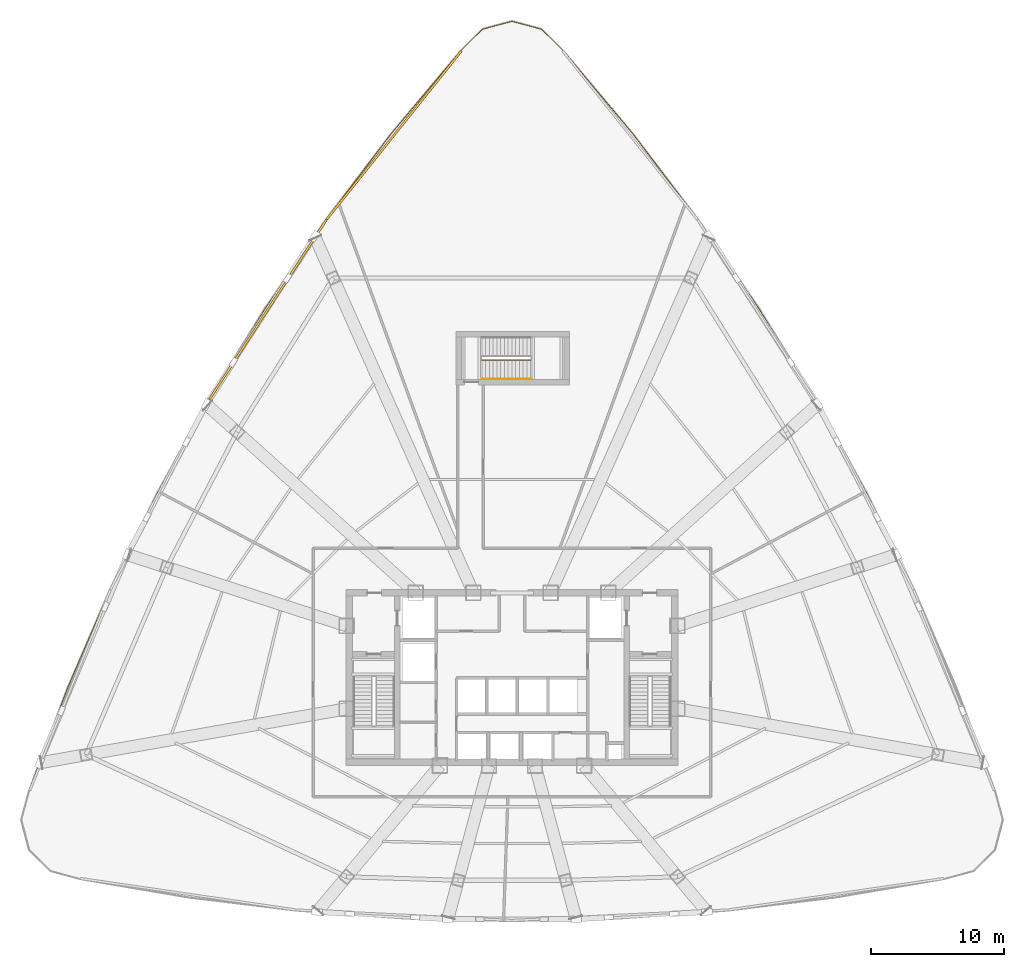
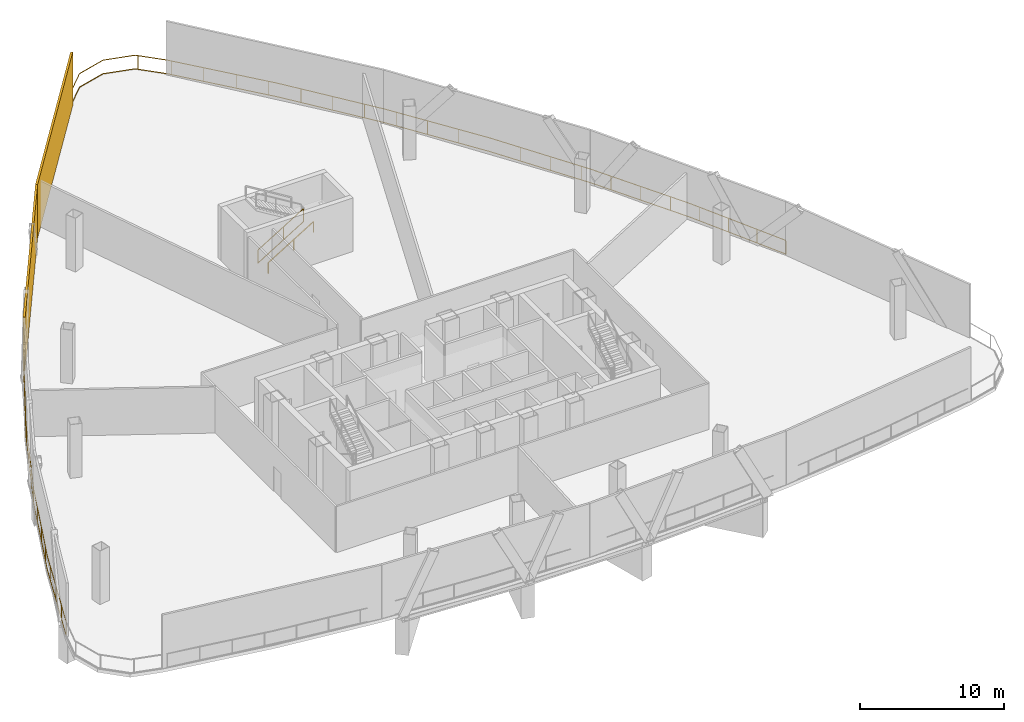
# One storey, part 12 of 14: 3 railings, 2 shading devices.
"""IFC4 building model written with IfcOpenShell, lengths in metres."""

from ifc_helpers import new_model, si_unit, direction, frame, origin, origin_2d, place, context, subcontext, project, spatial, rectangle, extrude, source, transform, mapped, material, layer, layer_set, type_object, element, save


model = new_model("IFC4")

# Units and contexts
model_context = context("Model", 3, precision=1e-05, world=origin(), true_north=direction((0.0, 1.0)))
body_context = subcontext(model_context, "Body", "Model", "MODEL_VIEW")
ifc_project = project(units=[si_unit("LENGTHUNIT", "METRE"), si_unit("AREAUNIT", "SQUARE_METRE"), si_unit("VOLUMEUNIT", "CUBIC_METRE"), si_unit("PLANEANGLEUNIT", "RADIAN"), si_unit("MASSUNIT", "GRAM", prefix="KILO"), si_unit("THERMODYNAMICTEMPERATUREUNIT", "KELVIN"), si_unit("POWERUNIT", "WATT")], contexts=[model_context])

# Site, building, storey
site_placement = place(None, origin())
site = spatial("IfcSite", under=ifc_project, at=site_placement, CompositionType="ELEMENT")
building_placement = place(site_placement, origin())
building = spatial("IfcBuilding", under=site, at=building_placement, Name="Yunzhuo Pagoda Commons", CompositionType="ELEMENT")
storey_placement = place(building_placement, frame((0.0, 0.0, 224.81005859375)))
storey = spatial("IfcBuildingStorey", under=building, at=storey_placement, Name="L56", CompositionType="ELEMENT", Elevation=224.81005859375)

# Railings
ifc_material = material(Name="Anodized aluminium 6063-T6", Category="aluminium")
railing_type_1 = type_object("IfcRailingType", Name="GR-ST3 North Well Guardrail 1155", PredefinedType="GUARDRAIL", material=ifc_material)
railing_1_placement = place(storey_placement, frame((45.75, 57.64990234375, 0.17138671875)))
element("IfcRailing", 1, at=railing_1_placement, inside=storey, type_object=railing_type_1, Name="L56 ST3 stair guard 1", PredefinedType="GUARDRAIL", context=body_context, shape_type="SweptSolid", body=[
    extrude(rectangle(XDim=0.048095703125, YDim=0.048095703125, at=origin_2d()), frame((0.0, 0.0, 1.1259765625), z_axis=(0.852850264322, 0.0, 0.5221555579), x_axis=(0.0, 1.0, 0.0)), (0.0, 0.0, 1.0), 4.267822265625),
    extrude(rectangle(XDim=0.048095703125, YDim=0.048095703125, at=origin_2d()), frame((0.0, 0.0, 0.02392578125), z_axis=(0.852850264322, 0.0, 0.5221555579), x_axis=(0.0, 1.0, 0.0)), (0.0, 0.0, 1.0), 4.267822265625),
    extrude(rectangle(XDim=0.0419921875, YDim=0.0419921875, at=origin_2d()), origin(), (0.0, 0.0, 1.0), 1.101806640625),
    extrude(rectangle(XDim=0.0419921875, YDim=0.0419921875, at=origin_2d()), frame((2.046875, 0.0, 1.253173828125)), (0.0, 0.0, 1.0), 1.101806640625),
    extrude(rectangle(XDim=0.0419921875, YDim=0.0419921875, at=origin_2d()), frame((3.639892578125, 0.0, 2.228515625)), (0.0, 0.0, 1.0), 1.101806640625),
])
railing_type_2 = type_object("IfcRailingType", Name="HR-ST3 North Stair Handrail 900", PredefinedType="HANDRAIL", material=ifc_material)
railing_2_placement = place(storey_placement, frame((45.75, 56.25, 0.17138671875)))
element("IfcRailing", 2, at=railing_2_placement, inside=storey, type_object=railing_type_2, Name="L56 ST3 stair handrail 1", PredefinedType="HANDRAIL", context=body_context, shape_type="SweptSolid", body=[
    extrude(rectangle(XDim=0.048095703125, YDim=0.048095703125, at=origin_2d()), frame((0.0, 0.0, 0.8759765625), z_axis=(0.852850264322, 0.0, 0.5221555579), x_axis=(0.0, 1.0, 0.0)), (0.0, 0.0, 1.0), 4.267822265625),
    extrude(rectangle(XDim=0.0419921875, YDim=0.0419921875, at=origin_2d()), origin(), (0.0, 0.0, 1.0), 0.851806640625),
    extrude(rectangle(XDim=0.0419921875, YDim=0.0419921875, at=origin_2d()), frame((2.046875, 0.0, 1.253173828125)), (0.0, 0.0, 1.0), 0.851806640625),
    extrude(rectangle(XDim=0.0419921875, YDim=0.0419921875, at=origin_2d()), frame((3.639892578125, 0.0, 2.228515625)), (0.0, 0.0, 1.0), 0.851806640625),
])
railing_type_3 = type_object("IfcRailingType", Name="RL-PRT1 Wind Portal & Refuge Guardrail 1200", PredefinedType="GUARDRAIL", material=ifc_material)
railing_3_placement = place(storey_placement, frame((78.119384765625, 40.490234375, 0.0)))
element("IfcRailing", 3, at=railing_3_placement, inside=storey, type_object=railing_type_3, Name="L56 refuge perimeter guardrail B", PredefinedType="GUARDRAIL", context=body_context, shape_type="SweptSolid", body=[
    extrude(rectangle(XDim=0.048095703125, YDim=0.048095703125, at=origin_2d()), frame((0.0, 0.0, 1.17578125), z_axis=(-0.440417136075, 0.897793264762, 0.0), x_axis=(-0.897793264762, -0.440417136075, 0.0)), (0.0, 0.0, 1.0), 8.032958984375),
    extrude(rectangle(XDim=0.048095703125, YDim=0.048095703125, at=origin_2d()), frame((0.0, 0.0, 0.02392578125), z_axis=(-0.440417136075, 0.897793264762, 0.0), x_axis=(-0.897793264762, -0.440417136075, 0.0)), (0.0, 0.0, 1.0), 8.032958984375),
    extrude(rectangle(XDim=0.048095703125, YDim=0.048095703125, at=origin_2d()), frame((-3.537841796875, 7.2119140625, 1.17578125), z_axis=(-0.483231265385, 0.875492743633, 0.0), x_axis=(-0.875492743633, -0.483231265385, 0.0)), (0.0, 0.0, 1.0), 8.00830078125),
    extrude(rectangle(XDim=0.048095703125, YDim=0.048095703125, at=origin_2d()), frame((-3.537841796875, 7.2119140625, 0.02392578125), z_axis=(-0.483231265385, 0.875492743633, 0.0), x_axis=(-0.875492743633, -0.483231265385, 0.0)), (0.0, 0.0, 1.0), 8.00830078125),
    extrude(rectangle(XDim=0.048095703125, YDim=0.048095703125, at=origin_2d()), frame((-7.40771484375, 14.22314453125, 1.17578125), z_axis=(-0.52477421727, 0.851241458629, 0.0), x_axis=(-0.851241458629, -0.52477421727, 0.0)), (0.0, 0.0, 1.0), 8.008544921875),
    extrude(rectangle(XDim=0.048095703125, YDim=0.048095703125, at=origin_2d()), frame((-7.40771484375, 14.22314453125, 0.02392578125), z_axis=(-0.52477421727, 0.851241458629, 0.0), x_axis=(-0.851241458629, -0.52477421727, 0.0)), (0.0, 0.0, 1.0), 8.008544921875),
    extrude(rectangle(XDim=0.048095703125, YDim=0.048095703125, at=origin_2d()), frame((-11.6103515625, 21.040283203125, 1.17578125), z_axis=(-0.565218800028, 0.824941033102, 0.0), x_axis=(-0.824941033102, -0.565218800028, 0.0)), (0.0, 0.0, 1.0), 8.032470703125),
    extrude(rectangle(XDim=0.048095703125, YDim=0.048095703125, at=origin_2d()), frame((-11.6103515625, 21.040283203125, 0.02392578125), z_axis=(-0.565218800028, 0.824941033102, 0.0), x_axis=(-0.824941033102, -0.565218800028, 0.0)), (0.0, 0.0, 1.0), 8.032470703125),
    extrude(rectangle(XDim=0.048095703125, YDim=0.048095703125, at=origin_2d()), frame((-16.150390625, 27.66650390625, 1.17578125), z_axis=(-0.604425511864, 0.796661660059, 0.0), x_axis=(-0.796661660059, -0.604425511864, 0.0)), (0.0, 0.0, 1.0), 8.0771484375),
    extrude(rectangle(XDim=0.048095703125, YDim=0.048095703125, at=origin_2d()), frame((-16.150390625, 27.66650390625, 0.02392578125), z_axis=(-0.604425511864, 0.796661660059, 0.0), x_axis=(-0.796661660059, -0.604425511864, 0.0)), (0.0, 0.0, 1.0), 8.0771484375),
    extrude(rectangle(XDim=0.048095703125, YDim=0.048095703125, at=origin_2d()), frame((-21.032470703125, 34.101318359375, 1.17578125), z_axis=(-0.641996935811, 0.766707202529, 0.0), x_axis=(-0.766707202529, -0.641996935811, 0.0)), (0.0, 0.0, 1.0), 8.139892578125),
    extrude(rectangle(XDim=0.048095703125, YDim=0.048095703125, at=origin_2d()), frame((-21.032470703125, 34.101318359375, 0.02392578125), z_axis=(-0.641996935811, 0.766707202529, 0.0), x_axis=(-0.766707202529, -0.641996935811, 0.0)), (0.0, 0.0, 1.0), 8.139892578125),
    extrude(rectangle(XDim=0.048095703125, YDim=0.048095703125, at=origin_2d()), frame((-26.25830078125, 40.34228515625, 1.17578125), z_axis=(-0.708798416928, 0.705411088771, 0.0), x_axis=(-0.705411088771, -0.708798416928, 0.0)), (0.0, 0.0, 1.0), 2.306396484375),
    extrude(rectangle(XDim=0.048095703125, YDim=0.048095703125, at=origin_2d()), frame((-26.25830078125, 40.34228515625, 0.02392578125), z_axis=(-0.708798416928, 0.705411088771, 0.0), x_axis=(-0.705411088771, -0.708798416928, 0.0)), (0.0, 0.0, 1.0), 2.306396484375),
    extrude(rectangle(XDim=0.048095703125, YDim=0.048095703125, at=origin_2d()), frame((-27.89306640625, 41.96923828125, 1.17578125), z_axis=(-0.966095886126, 0.258183537064, 0.0), x_axis=(-0.258183537064, -0.966095886126, 0.0)), (0.0, 0.0, 1.0), 2.304443359375),
    extrude(rectangle(XDim=0.048095703125, YDim=0.048095703125, at=origin_2d()), frame((-27.89306640625, 41.96923828125, 0.02392578125), z_axis=(-0.966095886126, 0.258183537064, 0.0), x_axis=(-0.258183537064, -0.966095886126, 0.0)), (0.0, 0.0, 1.0), 2.304443359375),
    extrude(rectangle(XDim=0.048095703125, YDim=0.048095703125, at=origin_2d()), frame((-30.119384765625, 42.564208984375, 1.17578125), z_axis=(-0.966095886126, -0.258183537064, 0.0), x_axis=(0.258183537064, -0.966095886126, 0.0)), (0.0, 0.0, 1.0), 2.304443359375),
    extrude(rectangle(XDim=0.048095703125, YDim=0.048095703125, at=origin_2d()), frame((-30.119384765625, 42.564208984375, 0.02392578125), z_axis=(-0.966095886126, -0.258183537064, 0.0), x_axis=(0.258183537064, -0.966095886126, 0.0)), (0.0, 0.0, 1.0), 2.304443359375),
    extrude(rectangle(XDim=0.048095703125, YDim=0.048095703125, at=origin_2d()), frame((-32.345703125, 41.96923828125, 1.17578125), z_axis=(-0.708798416928, -0.705411088771, 0.0), x_axis=(0.705411088771, -0.708798416928, 0.0)), (0.0, 0.0, 1.0), 2.306396484375),
    extrude(rectangle(XDim=0.048095703125, YDim=0.048095703125, at=origin_2d()), frame((-32.345703125, 41.96923828125, 0.02392578125), z_axis=(-0.708798416928, -0.705411088771, 0.0), x_axis=(0.705411088771, -0.708798416928, 0.0)), (0.0, 0.0, 1.0), 2.306396484375),
    extrude(rectangle(XDim=0.048095703125, YDim=0.048095703125, at=origin_2d()), frame((-33.98046875, 40.34228515625, 1.17578125), z_axis=(-0.641996935811, -0.766707202529, 0.0), x_axis=(0.766707202529, -0.641996935811, 0.0)), (0.0, 0.0, 1.0), 8.139892578125),
    extrude(rectangle(XDim=0.048095703125, YDim=0.048095703125, at=origin_2d()), frame((-33.98046875, 40.34228515625, 0.02392578125), z_axis=(-0.641996935811, -0.766707202529, 0.0), x_axis=(0.766707202529, -0.641996935811, 0.0)), (0.0, 0.0, 1.0), 8.139892578125),
    extrude(rectangle(XDim=0.048095703125, YDim=0.048095703125, at=origin_2d()), frame((-39.206298828125, 34.101318359375, 1.17578125), z_axis=(-0.604425511864, -0.796661660059, 0.0), x_axis=(0.796661660059, -0.604425511864, 0.0)), (0.0, 0.0, 1.0), 8.0771484375),
    extrude(rectangle(XDim=0.048095703125, YDim=0.048095703125, at=origin_2d()), frame((-39.206298828125, 34.101318359375, 0.02392578125), z_axis=(-0.604425511864, -0.796661660059, 0.0), x_axis=(0.796661660059, -0.604425511864, 0.0)), (0.0, 0.0, 1.0), 8.0771484375),
    extrude(rectangle(XDim=0.048095703125, YDim=0.048095703125, at=origin_2d()), frame((-44.08837890625, 27.66650390625, 1.17578125), z_axis=(-0.565218800028, -0.824941033102, 0.0), x_axis=(0.824941033102, -0.565218800028, 0.0)), (0.0, 0.0, 1.0), 8.032470703125),
    extrude(rectangle(XDim=0.048095703125, YDim=0.048095703125, at=origin_2d()), frame((-44.08837890625, 27.66650390625, 0.02392578125), z_axis=(-0.565218800028, -0.824941033102, 0.0), x_axis=(0.824941033102, -0.565218800028, 0.0)), (0.0, 0.0, 1.0), 8.032470703125),
    extrude(rectangle(XDim=0.048095703125, YDim=0.048095703125, at=origin_2d()), frame((-48.62841796875, 21.040283203125, 1.17578125), z_axis=(-0.52477421727, -0.851241458629, 0.0), x_axis=(0.851241458629, -0.52477421727, 0.0)), (0.0, 0.0, 1.0), 8.008544921875),
    extrude(rectangle(XDim=0.048095703125, YDim=0.048095703125, at=origin_2d()), frame((-48.62841796875, 21.040283203125, 0.02392578125), z_axis=(-0.52477421727, -0.851241458629, 0.0), x_axis=(0.851241458629, -0.52477421727, 0.0)), (0.0, 0.0, 1.0), 8.008544921875),
    extrude(rectangle(XDim=0.048095703125, YDim=0.048095703125, at=origin_2d()), frame((-52.8310546875, 14.22314453125, 1.17578125), z_axis=(-0.483231265385, -0.875492743633, 0.0), x_axis=(0.875492743633, -0.483231265385, 0.0)), (0.0, 0.0, 1.0), 8.00830078125),
    extrude(rectangle(XDim=0.048095703125, YDim=0.048095703125, at=origin_2d()), frame((-52.8310546875, 14.22314453125, 0.02392578125), z_axis=(-0.483231265385, -0.875492743633, 0.0), x_axis=(0.875492743633, -0.483231265385, 0.0)), (0.0, 0.0, 1.0), 8.00830078125),
    extrude(rectangle(XDim=0.048095703125, YDim=0.048095703125, at=origin_2d()), frame((-56.700927734375, 7.2119140625, 1.17578125), z_axis=(-0.440417136075, -0.897793264762, 0.0), x_axis=(0.897793264762, -0.440417136075, 0.0)), (0.0, 0.0, 1.0), 8.032958984375),
    extrude(rectangle(XDim=0.048095703125, YDim=0.048095703125, at=origin_2d()), frame((-56.700927734375, 7.2119140625, 0.02392578125), z_axis=(-0.440417136075, -0.897793264762, 0.0), x_axis=(0.897793264762, -0.440417136075, 0.0)), (0.0, 0.0, 1.0), 8.032958984375),
    extrude(rectangle(XDim=0.048095703125, YDim=0.048095703125, at=origin_2d()), frame((-60.23876953125, 0.0, 1.17578125), z_axis=(-0.39651127941, -0.918029849896, 0.0), x_axis=(0.918029849896, -0.39651127941, 0.0)), (0.0, 0.0, 1.0), 8.07763671875),
    extrude(rectangle(XDim=0.048095703125, YDim=0.048095703125, at=origin_2d()), frame((-60.23876953125, 0.0, 0.02392578125), z_axis=(-0.39651127941, -0.918029849896, 0.0), x_axis=(0.918029849896, -0.39651127941, 0.0)), (0.0, 0.0, 1.0), 8.07763671875),
    extrude(rectangle(XDim=0.048095703125, YDim=0.048095703125, at=origin_2d()), frame((-63.441650390625, -7.41552734375, 1.17578125), z_axis=(-0.351913355473, -0.936032579689, 0.0), x_axis=(0.936032579689, -0.351913355473, 0.0)), (0.0, 0.0, 1.0), 8.06005859375),
    extrude(rectangle(XDim=0.048095703125, YDim=0.048095703125, at=origin_2d()), frame((-63.441650390625, -7.41552734375, 0.02392578125), z_axis=(-0.351913355473, -0.936032579689, 0.0), x_axis=(0.936032579689, -0.351913355473, 0.0)), (0.0, 0.0, 1.0), 8.06005859375),
    extrude(rectangle(XDim=0.0419921875, YDim=0.0419921875, at=origin_2d()), origin(), (0.0, 0.0, 1.0), 1.15185546875),
    extrude(rectangle(XDim=0.0419921875, YDim=0.0419921875, at=origin_2d()), frame((-1.056884765625, 2.15478515625, 0.0)), (0.0, 0.0, 1.0), 1.15185546875),
    extrude(rectangle(XDim=0.0419921875, YDim=0.0419921875, at=origin_2d()), frame((-2.114013671875, 4.309326171875, 0.0)), (0.0, 0.0, 1.0), 1.15185546875),
    extrude(rectangle(XDim=0.0419921875, YDim=0.0419921875, at=origin_2d()), frame((-3.1708984375, 6.464111328125, 0.0)), (0.0, 0.0, 1.0), 1.15185546875),
    extrude(rectangle(XDim=0.0419921875, YDim=0.0419921875, at=origin_2d()), frame((-4.295166015625, 8.583984375, 0.0)), (0.0, 0.0, 1.0), 1.15185546875),
    extrude(rectangle(XDim=0.0419921875, YDim=0.0419921875, at=origin_2d()), frame((-5.454833984375, 10.68505859375, 0.0)), (0.0, 0.0, 1.0), 1.15185546875),
    extrude(rectangle(XDim=0.0419921875, YDim=0.0419921875, at=origin_2d()), frame((-6.614501953125, 12.7861328125, 0.0)), (0.0, 0.0, 1.0), 1.15185546875),
    extrude(rectangle(XDim=0.0419921875, YDim=0.0419921875, at=origin_2d()), frame((-7.805908203125, 14.868896484375, 0.0)), (0.0, 0.0, 1.0), 1.15185546875),
    extrude(rectangle(XDim=0.0419921875, YDim=0.0419921875, at=origin_2d()), frame((-9.0654296875, 16.912109375, 0.0)), (0.0, 0.0, 1.0), 1.15185546875),
    extrude(rectangle(XDim=0.0419921875, YDim=0.0419921875, at=origin_2d()), frame((-10.32470703125, 18.955078125, 0.0)), (0.0, 0.0, 1.0), 1.15185546875),
    extrude(rectangle(XDim=0.0419921875, YDim=0.0419921875, at=origin_2d()), frame((-12.938720703125, 22.97900390625, 0.0)), (0.0, 0.0, 1.0), 1.15185546875),
    extrude(rectangle(XDim=0.0419921875, YDim=0.0419921875, at=origin_2d()), frame((-14.29541015625, 24.958984375, 0.0)), (0.0, 0.0, 1.0), 1.15185546875),
    extrude(rectangle(XDim=0.0419921875, YDim=0.0419921875, at=origin_2d()), frame((-15.65185546875, 26.938720703125, 0.0)), (0.0, 0.0, 1.0), 1.15185546875),
    extrude(rectangle(XDim=0.0419921875, YDim=0.0419921875, at=origin_2d()), frame((-17.06787109375, 28.875732421875, 0.0)), (0.0, 0.0, 1.0), 1.15185546875),
    extrude(rectangle(XDim=0.0419921875, YDim=0.0419921875, at=origin_2d()), frame((-18.5185546875, 30.787841796875, 0.0)), (0.0, 0.0, 1.0), 1.15185546875),
    extrude(rectangle(XDim=0.0419921875, YDim=0.0419921875, at=origin_2d()), frame((-19.968994140625, 32.69970703125, 0.0)), (0.0, 0.0, 1.0), 1.15185546875),
    extrude(rectangle(XDim=0.0419921875, YDim=0.0419921875, at=origin_2d()), frame((-21.44384765625, 34.592529296875, 0.0)), (0.0, 0.0, 1.0), 1.15185546875),
    extrude(rectangle(XDim=0.0419921875, YDim=0.0419921875, at=origin_2d()), frame((-22.984619140625, 36.4326171875, 0.0)), (0.0, 0.0, 1.0), 1.15185546875),
    extrude(rectangle(XDim=0.0419921875, YDim=0.0419921875, at=origin_2d()), frame((-24.525390625, 38.272705078125, 0.0)), (0.0, 0.0, 1.0), 1.15185546875),
    extrude(rectangle(XDim=0.0419921875, YDim=0.0419921875, at=origin_2d()), frame((-26.066162109375, 40.11279296875, 0.0)), (0.0, 0.0, 1.0), 1.15185546875),
    extrude(rectangle(XDim=0.0419921875, YDim=0.0419921875, at=origin_2d()), frame((-27.747314453125, 41.82421875, 0.0)), (0.0, 0.0, 1.0), 1.15185546875),
    extrude(rectangle(XDim=0.0419921875, YDim=0.0419921875, at=origin_2d()), frame((-34.03125, 40.28173828125, 0.0)), (0.0, 0.0, 1.0), 1.15185546875),
    extrude(rectangle(XDim=0.0419921875, YDim=0.0419921875, at=origin_2d()), frame((-35.572021484375, 38.441650390625, 0.0)), (0.0, 0.0, 1.0), 1.15185546875),
    extrude(rectangle(XDim=0.0419921875, YDim=0.0419921875, at=origin_2d()), frame((-37.11279296875, 36.6015625, 0.0)), (0.0, 0.0, 1.0), 1.15185546875),
    extrude(rectangle(XDim=0.0419921875, YDim=0.0419921875, at=origin_2d()), frame((-38.653564453125, 34.761474609375, 0.0)), (0.0, 0.0, 1.0), 1.15185546875),
    extrude(rectangle(XDim=0.0419921875, YDim=0.0419921875, at=origin_2d()), frame((-40.136474609375, 32.875244140625, 0.0)), (0.0, 0.0, 1.0), 1.15185546875),
    extrude(rectangle(XDim=0.0419921875, YDim=0.0419921875, at=origin_2d()), frame((-41.587158203125, 30.963134765625, 0.0)), (0.0, 0.0, 1.0), 1.15185546875),
    extrude(rectangle(XDim=0.0419921875, YDim=0.0419921875, at=origin_2d()), frame((-43.037841796875, 29.05126953125, 0.0)), (0.0, 0.0, 1.0), 1.15185546875),
    extrude(rectangle(XDim=0.0419921875, YDim=0.0419921875, at=origin_2d()), frame((-44.46240234375, 27.12060546875, 0.0)), (0.0, 0.0, 1.0), 1.15185546875),
    extrude(rectangle(XDim=0.0419921875, YDim=0.0419921875, at=origin_2d()), frame((-45.819091796875, 25.140625, 0.0)), (0.0, 0.0, 1.0), 1.15185546875),
    extrude(rectangle(XDim=0.0419921875, YDim=0.0419921875, at=origin_2d()), frame((-47.175537109375, 23.160888671875, 0.0)), (0.0, 0.0, 1.0), 1.15185546875),
    extrude(rectangle(XDim=0.0419921875, YDim=0.0419921875, at=origin_2d()), frame((-48.531982421875, 21.180908203125, 0.0)), (0.0, 0.0, 1.0), 1.15185546875),
    extrude(rectangle(XDim=0.0419921875, YDim=0.0419921875, at=origin_2d()), frame((-49.79833984375, 19.142333984375, 0.0)), (0.0, 0.0, 1.0), 1.15185546875),
    extrude(rectangle(XDim=0.0419921875, YDim=0.0419921875, at=origin_2d()), frame((-51.057861328125, 17.099365234375, 0.0)), (0.0, 0.0, 1.0), 1.15185546875),
    extrude(rectangle(XDim=0.0419921875, YDim=0.0419921875, at=origin_2d()), frame((-52.3173828125, 15.056396484375, 0.0)), (0.0, 0.0, 1.0), 1.15185546875),
    extrude(rectangle(XDim=0.0419921875, YDim=0.0419921875, at=origin_2d()), frame((-53.517822265625, 12.97900390625, 0.0)), (0.0, 0.0, 1.0), 1.15185546875),
    extrude(rectangle(XDim=0.0419921875, YDim=0.0419921875, at=origin_2d()), frame((-54.677490234375, 10.8779296875, 0.0)), (0.0, 0.0, 1.0), 1.15185546875),
    extrude(rectangle(XDim=0.0419921875, YDim=0.0419921875, at=origin_2d()), frame((-55.837158203125, 8.776611328125, 0.0)), (0.0, 0.0, 1.0), 1.15185546875),
    extrude(rectangle(XDim=0.0419921875, YDim=0.0419921875, at=origin_2d()), frame((-56.970703125, 6.661865234375, 0.0)), (0.0, 0.0, 1.0), 1.15185546875),
    extrude(rectangle(XDim=0.0419921875, YDim=0.0419921875, at=origin_2d()), frame((-58.02783203125, 4.507080078125, 0.0)), (0.0, 0.0, 1.0), 1.15185546875),
    extrude(rectangle(XDim=0.0419921875, YDim=0.0419921875, at=origin_2d()), frame((-59.084716796875, 2.352294921875, 0.0)), (0.0, 0.0, 1.0), 1.15185546875),
    extrude(rectangle(XDim=0.0419921875, YDim=0.0419921875, at=origin_2d()), frame((-60.141845703125, 0.19775390625, 0.0)), (0.0, 0.0, 1.0), 1.15185546875),
    extrude(rectangle(XDim=0.0419921875, YDim=0.0419921875, at=origin_2d()), frame((-61.10302734375, -2.001220703125, 0.0)), (0.0, 0.0, 1.0), 1.15185546875),
    extrude(rectangle(XDim=0.0419921875, YDim=0.0419921875, at=origin_2d()), frame((-62.0546875, -4.204345703125, 0.0)), (0.0, 0.0, 1.0), 1.15185546875),
    extrude(rectangle(XDim=0.0419921875, YDim=0.0419921875, at=origin_2d()), frame((-63.00634765625, -6.40771484375, 0.0)), (0.0, 0.0, 1.0), 1.15185546875),
    extrude(rectangle(XDim=0.0419921875, YDim=0.0419921875, at=origin_2d()), frame((-63.89990234375, -8.63427734375, 0.0)), (0.0, 0.0, 1.0), 1.15185546875),
    extrude(rectangle(XDim=0.0419921875, YDim=0.0419921875, at=origin_2d()), frame((-64.744384765625, -10.880859375, 0.0)), (0.0, 0.0, 1.0), 1.15185546875),
    extrude(rectangle(XDim=0.0419921875, YDim=0.0419921875, at=origin_2d()), frame((-65.589111328125, -13.12744140625, 0.0)), (0.0, 0.0, 1.0), 1.15185546875),
    extrude(rectangle(XDim=0.0419921875, YDim=0.0419921875, at=origin_2d()), frame((-66.278076171875, -14.9599609375, 0.0)), (0.0, 0.0, 1.0), 1.15185546875),
])

# Shading devices
ifc_layer = layer(ifc_material, 0.159912109375)
ifc_layer_set = layer_set([ifc_layer], Name="Anodized aluminium 6063-T6")
shading_device_type = type_object("IfcShadingDeviceType", Name="SH-SCR1 Stormproof Refuge Louvre Screen", PredefinedType="JALOUSIE", material=ifc_layer_set)
shared_shape_1 = source(origin(), body_context, "Body", "SweptSolid", [
    extrude(rectangle(XDim=16.2041015625, YDim=0.159912109375, at=origin_2d()), origin(), (0.0, 0.0, 1.0), 4.5400390625),
])
shading_device_1_placement = place(storey_placement, frame((39.150390625, 74.513671875, 0.0), z_axis=(0.0, 0.0, 1.0), x_axis=(-0.624520471688, -0.781008438138, 0.0)))
element("IfcShadingDevice", 4, at=shading_device_1_placement, inside=storey, type_object=shading_device_type, Name="L56 stormproof refuge louvre screen F3.1", PredefinedType="JALOUSIE", context=body_context, shape_type="MappedRepresentation", body=[
    mapped(shared_shape_1, transform((0.0, 0.0, 0.0), scale=1.0)),
])
shared_shape_2 = source(origin(), body_context, "Body", "SweptSolid", [
    extrude(rectangle(XDim=16.05029296875, YDim=0.159912109375, at=origin_2d()), origin(), (0.0, 0.0, 1.0), 4.5400390625),
])
shading_device_2_placement = place(storey_placement, frame((29.693603515625, 61.438720703125, 0.0), z_axis=(0.0, 0.0, 1.0), x_axis=(-0.545838756973, -0.837890238269, 0.0)))
element("IfcShadingDevice", 5, at=shading_device_2_placement, inside=storey, type_object=shading_device_type, Name="L56 stormproof refuge louvre screen F3.2", PredefinedType="JALOUSIE", context=body_context, shape_type="MappedRepresentation", body=[
    mapped(shared_shape_2, transform((0.0, 0.0, 0.0), scale=1.0)),
])

save(model, "model.ifc")
